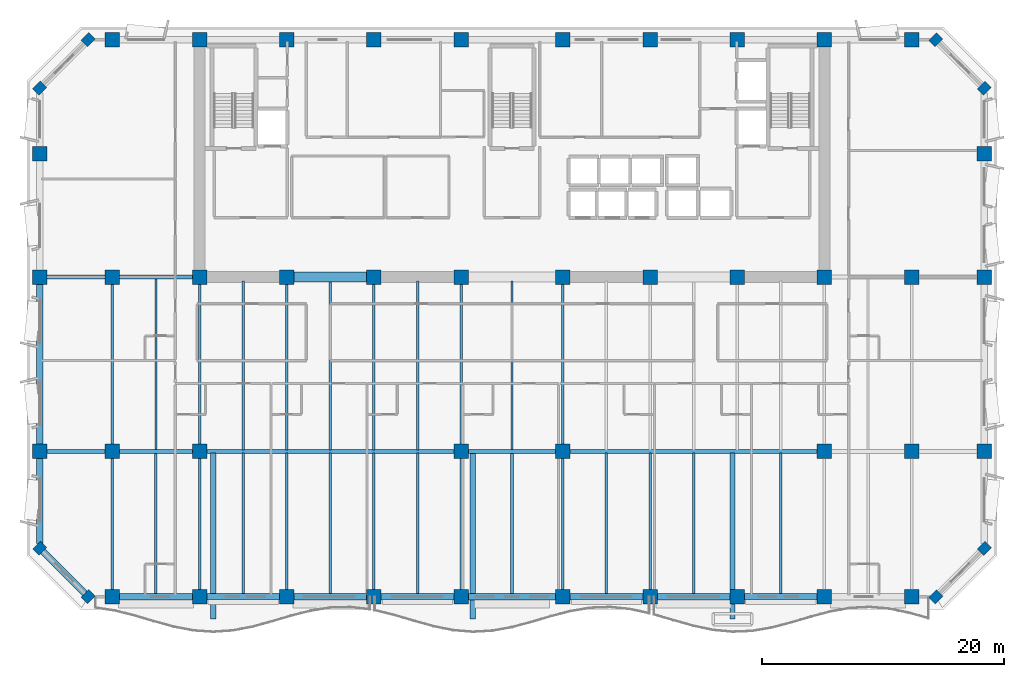
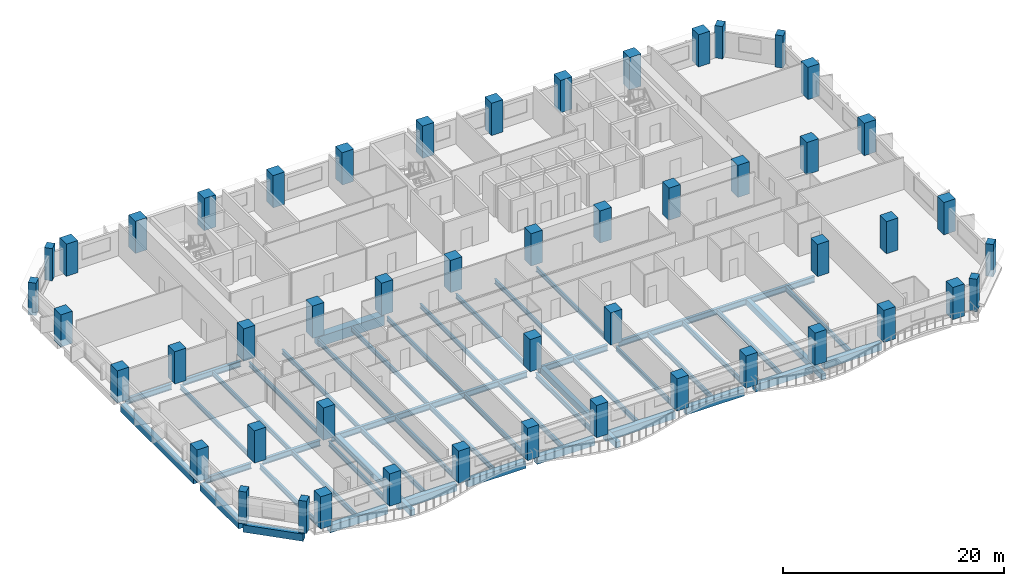
# One storey, part 1 of 15: 50 columns, 48 beams.
"""IFC4 building model written with IfcOpenShell, lengths in metres."""

from ifc_helpers import new_model, si_unit, direction, frame, origin, origin_2d, place, context, subcontext, project, spatial, rectangle, i_section, extrude, material, material_profile, profile_set, type_object, element, save


model = new_model("IFC4")

# Units and contexts
model_context = context("Model", 3, precision=1e-05, world=origin(), true_north=direction((0.0, 1.0)))
body_context = subcontext(model_context, "Body", "Model", "MODEL_VIEW")
ifc_project = project(units=[si_unit("LENGTHUNIT", "METRE"), si_unit("AREAUNIT", "SQUARE_METRE"), si_unit("VOLUMEUNIT", "CUBIC_METRE"), si_unit("PLANEANGLEUNIT", "RADIAN"), si_unit("MASSUNIT", "GRAM", prefix="KILO")], contexts=[model_context])

# Site, building, storey
site_placement = place(None, origin())
site = spatial("IfcSite", under=ifc_project, at=site_placement, CompositionType="ELEMENT")
building_placement = place(site_placement, origin())
building = spatial("IfcBuilding", under=site, at=building_placement, Name="Kaelvorn Grand Hotel", CompositionType="ELEMENT")
storey_placement = place(building_placement, frame((0.0, 0.0, 177.14990234375)))
storey = spatial("IfcBuildingStorey", under=building, at=storey_placement, Name="L43", CompositionType="ELEMENT", Elevation=177.14990234375)

# Columns
ifc_material_1 = material(Name="Concrete C60/75", Category="concrete")
ifc_material_profile_1 = material_profile(ifc_material_1, rectangle(XDim=0.89990234375, YDim=0.75, at=origin_2d()), Name="RC PILASTER 900x750")
ifc_profile_set_1 = profile_set([ifc_material_profile_1], Name="Concrete C60/75")
column_type_1 = type_object("IfcColumnType", Name="COL-PIL-900x750-C60", PredefinedType="PILASTER", material=ifc_profile_set_1)
for number, where, z_axis, x_axis, name in (
    (1, (7.0, 3.0, 0.0), (0.0, 0.0, 1.0), (0.707106781187, 0.707106781187, 0.0), "L43 Structural Column CH-01"),
    (2, (77.0, 3.0, 0.0), (0.0, 0.0, 1.0), (0.707106781187, 0.707106781187, 0.0), "L43 Structural Column CH-02"),
    (3, (81.0, 7.0, 0.0), (0.0, 0.0, 1.0), (0.707106781187, 0.707106781187, 0.0), "L43 Structural Column CH-03"),
    (4, (81.0, 45.0, 0.0), (0.0, 0.0, 1.0), (0.707106781187, 0.707106781187, 0.0), "L43 Structural Column CH-04"),
    (5, (77.0, 49.0, 0.0), (0.0, 0.0, 1.0), (0.707106781187, 0.707106781187, 0.0), "L43 Structural Column CH-05"),
    (6, (7.0, 49.0, 0.0), (0.0, 0.0, 1.0), (0.707106781187, 0.707106781187, 0.0), "L43 Structural Column CH-06"),
    (7, (3.0, 45.0, 0.0), (0.0, 0.0, 1.0), (0.707106781187, 0.707106781187, 0.0), "L43 Structural Column CH-07"),
    (8, (3.0, 7.0, 0.0), (0.0, 0.0, 1.0), (0.707106781187, 0.707106781187, 0.0), "L43 Structural Column CH-08"),
):
    element("IfcColumn", number, at=place(storey_placement, frame(where, z_axis=z_axis, x_axis=x_axis)), inside=storey, type_object=column_type_1, Name=name, PredefinedType="PILASTER", context=body_context, shape_type="SweptSolid", body=[
        extrude(rectangle(XDim=0.89990234375, YDim=0.75, at=origin_2d()), origin(), (0.0, 0.0, 1.0), 3.56005859375),
    ])
ifc_material_profile_2 = material_profile(ifc_material_1, rectangle(XDim=1.199951171875, YDim=1.199951171875, at=origin_2d()), Name="RC COL 1200x1200")
ifc_profile_set_2 = profile_set([ifc_material_profile_2], Name="Concrete C60/75")
column_type_2 = type_object("IfcColumnType", Name="COL-RC-1200-C60", PredefinedType="COLUMN", material=ifc_profile_set_2)
for number, where, z_axis, x_axis, name in (
    (9, (9.0, 3.0, 0.0), (0.0, 0.0, 1.0), (1.0, 0.0, 0.0), "L43 Structural Column S-01"),
    (10, (16.199951171875, 3.0, 0.0), (0.0, 0.0, 1.0), (1.0, 0.0, 0.0), "L43 Structural Column S-02"),
    (11, (23.39990234375, 3.0, 0.0), (0.0, 0.0, 1.0), (1.0, 0.0, 0.0), "L43 Structural Column S-03"),
    (12, (30.60009765625, 3.0, 0.0), (0.0, 0.0, 1.0), (1.0, 0.0, 0.0), "L43 Structural Column S-04"),
    (13, (37.800048828125, 3.0, 0.0), (0.0, 0.0, 1.0), (1.0, 0.0, 0.0), "L43 Structural Column S-05"),
    (14, (46.199951171875, 3.0, 0.0), (0.0, 0.0, 1.0), (1.0, 0.0, 0.0), "L43 Structural Column S-06"),
    (15, (53.39990234375, 3.0, 0.0), (0.0, 0.0, 1.0), (1.0, 0.0, 0.0), "L43 Structural Column S-07"),
    (16, (60.60009765625, 3.0, 0.0), (0.0, 0.0, 1.0), (1.0, 0.0, 0.0), "L43 Structural Column S-08"),
    (17, (67.800048828125, 3.0, 0.0), (0.0, 0.0, 1.0), (1.0, 0.0, 0.0), "L43 Structural Column S-09"),
    (18, (75.0, 3.0, 0.0), (0.0, 0.0, 1.0), (1.0, 0.0, 0.0), "L43 Structural Column S-10"),
    (19, (3.0, 15.0, 0.0), (0.0, 0.0, 1.0), (1.0, 0.0, 0.0), "L43 Structural Column W-01"),
    (20, (81.0, 15.0, 0.0), (0.0, 0.0, 1.0), (1.0, 0.0, 0.0), "L43 Structural Column E-01"),
    (21, (3.0, 29.39990234375, 0.0), (0.0, 0.0, 1.0), (1.0, 0.0, 0.0), "L43 Structural Column W-02"),
    (22, (81.0, 29.39990234375, 0.0), (0.0, 0.0, 1.0), (1.0, 0.0, 0.0), "L43 Structural Column E-02"),
    (23, (3.0, 39.60009765625, 0.0), (0.0, 0.0, 1.0), (1.0, 0.0, 0.0), "L43 Structural Column W-03"),
    (24, (81.0, 39.60009765625, 0.0), (0.0, 0.0, 1.0), (1.0, 0.0, 0.0), "L43 Structural Column E-03"),
    (25, (9.0, 15.0, 0.0), (0.0, 0.0, 1.0), (1.0, 0.0, 0.0), "L43 Structural Column M-01"),
    (26, (16.199951171875, 15.0, 0.0), (0.0, 0.0, 1.0), (1.0, 0.0, 0.0), "L43 Structural Column M-02"),
    (27, (37.800048828125, 15.0, 0.0), (0.0, 0.0, 1.0), (1.0, 0.0, 0.0), "L43 Structural Column M-03"),
    (28, (46.199951171875, 15.0, 0.0), (0.0, 0.0, 1.0), (1.0, 0.0, 0.0), "L43 Structural Column M-04"),
    (29, (67.800048828125, 15.0, 0.0), (0.0, 0.0, 1.0), (1.0, 0.0, 0.0), "L43 Structural Column M-05"),
    (30, (75.0, 15.0, 0.0), (0.0, 0.0, 1.0), (1.0, 0.0, 0.0), "L43 Structural Column M-06"),
    (31, (9.0, 29.39990234375, 0.0), (0.0, 0.0, 1.0), (1.0, 0.0, 0.0), "L43 Structural Column CR1-01"),
    (32, (9.0, 49.0, 0.0), (0.0, 0.0, 1.0), (1.0, 0.0, 0.0), "L43 Structural Column CR2-01"),
    (33, (16.199951171875, 29.39990234375, 0.0), (0.0, 0.0, 1.0), (1.0, 0.0, 0.0), "L43 Structural Column CR1-02"),
    (34, (16.199951171875, 49.0, 0.0), (0.0, 0.0, 1.0), (1.0, 0.0, 0.0), "L43 Structural Column CR2-02"),
    (35, (23.39990234375, 29.39990234375, 0.0), (0.0, 0.0, 1.0), (1.0, 0.0, 0.0), "L43 Structural Column CR1-03"),
    (36, (23.39990234375, 49.0, 0.0), (0.0, 0.0, 1.0), (1.0, 0.0, 0.0), "L43 Structural Column CR2-03"),
    (37, (30.60009765625, 29.39990234375, 0.0), (0.0, 0.0, 1.0), (1.0, 0.0, 0.0), "L43 Structural Column CR1-04"),
    (38, (30.60009765625, 49.0, 0.0), (0.0, 0.0, 1.0), (1.0, 0.0, 0.0), "L43 Structural Column CR2-04"),
    (39, (37.800048828125, 29.39990234375, 0.0), (0.0, 0.0, 1.0), (1.0, 0.0, 0.0), "L43 Structural Column CR1-05"),
    (40, (37.800048828125, 49.0, 0.0), (0.0, 0.0, 1.0), (1.0, 0.0, 0.0), "L43 Structural Column CR2-05"),
    (41, (46.199951171875, 29.39990234375, 0.0), (0.0, 0.0, 1.0), (1.0, 0.0, 0.0), "L43 Structural Column CR1-06"),
    (42, (46.199951171875, 49.0, 0.0), (0.0, 0.0, 1.0), (1.0, 0.0, 0.0), "L43 Structural Column CR2-06"),
    (43, (53.39990234375, 29.39990234375, 0.0), (0.0, 0.0, 1.0), (1.0, 0.0, 0.0), "L43 Structural Column CR1-07"),
    (44, (53.39990234375, 49.0, 0.0), (0.0, 0.0, 1.0), (1.0, 0.0, 0.0), "L43 Structural Column CR2-07"),
    (45, (60.60009765625, 29.39990234375, 0.0), (0.0, 0.0, 1.0), (1.0, 0.0, 0.0), "L43 Structural Column CR1-08"),
    (46, (60.60009765625, 49.0, 0.0), (0.0, 0.0, 1.0), (1.0, 0.0, 0.0), "L43 Structural Column CR2-08"),
    (47, (67.800048828125, 29.39990234375, 0.0), (0.0, 0.0, 1.0), (1.0, 0.0, 0.0), "L43 Structural Column CR1-09"),
    (48, (67.800048828125, 49.0, 0.0), (0.0, 0.0, 1.0), (1.0, 0.0, 0.0), "L43 Structural Column CR2-09"),
    (49, (75.0, 29.39990234375, 0.0), (0.0, 0.0, 1.0), (1.0, 0.0, 0.0), "L43 Structural Column CR1-10"),
    (50, (75.0, 49.0, 0.0), (0.0, 0.0, 1.0), (1.0, 0.0, 0.0), "L43 Structural Column CR2-10"),
):
    element("IfcColumn", number, at=place(storey_placement, frame(where, z_axis=z_axis, x_axis=x_axis)), inside=storey, type_object=column_type_2, Name=name, PredefinedType="COLUMN", context=body_context, shape_type="SweptSolid", body=[
        extrude(rectangle(XDim=1.199951171875, YDim=1.199951171875, at=origin_2d()), origin(), (0.0, 0.0, 1.0), 3.56005859375),
    ])

# Beams
ifc_material_2 = material(Name="Steel S355", Category="steel")
ifc_material_profile_3 = material_profile(ifc_material_2, i_section(OverallWidth=0.300048828125, OverallDepth=0.64990234375, WebThickness=0.01611328125, FlangeThickness=0.031005859375, FilletRadius=0.027099609375, at=origin_2d()), Name="HEB 650")
ifc_profile_set_3 = profile_set([ifc_material_profile_3], Name="Steel S355")
beam_type_1 = type_object("IfcBeamType", Name="BM-G-HEB650-S355", PredefinedType="BEAM", material=ifc_profile_set_3)
beam_1_placement = place(storey_placement, frame((3.5849609375, 15.0, -0.56494140625), z_axis=(1.0, 0.0, 0.0), x_axis=(0.0, 1.0, 0.0)))
element("IfcBeam", 51, at=beam_1_placement, inside=storey, type_object=beam_type_1, Name="L43 Primary Spine Steel Girder G-15 01", PredefinedType="BEAM", context=body_context, shape_type="SweptSolid", body=[
    extrude(i_section(OverallWidth=0.300048828125, OverallDepth=0.64990234375, WebThickness=0.01611328125, FlangeThickness=0.031005859375, FilletRadius=0.027099609375, at=origin_2d()), origin(), (0.0, 0.0, 1.0), 4.830078125),
])
beam_2_placement = place(storey_placement, frame((9.5849609375, 15.0, -0.56494140625), z_axis=(1.0, 0.0, 0.0), x_axis=(0.0, 1.0, 0.0)))
element("IfcBeam", 52, at=beam_2_placement, inside=storey, type_object=beam_type_1, Name="L43 Primary Spine Steel Girder G-15 02", PredefinedType="BEAM", context=body_context, shape_type="SweptSolid", body=[
    extrude(i_section(OverallWidth=0.300048828125, OverallDepth=0.64990234375, WebThickness=0.01611328125, FlangeThickness=0.031005859375, FilletRadius=0.027099609375, at=origin_2d()), origin(), (0.0, 0.0, 1.0), 6.030029296875),
])
beam_3_placement = place(storey_placement, frame((16.784912109375, 15.0, -0.56494140625), z_axis=(1.0, 0.0, 0.0), x_axis=(0.0, 1.0, 0.0)))
element("IfcBeam", 53, at=beam_3_placement, inside=storey, type_object=beam_type_1, Name="L43 Primary Spine Steel Girder G-15 03", PredefinedType="BEAM", context=body_context, shape_type="SweptSolid", body=[
    extrude(i_section(OverallWidth=0.300048828125, OverallDepth=0.64990234375, WebThickness=0.01611328125, FlangeThickness=0.031005859375, FilletRadius=0.027099609375, at=origin_2d()), origin(), (0.0, 0.0, 1.0), 20.43017578125),
])
beam_4_placement = place(storey_placement, frame((38.385009765625, 15.0, -0.56494140625), z_axis=(1.0, 0.0, 0.0), x_axis=(0.0, 1.0, 0.0)))
element("IfcBeam", 54, at=beam_4_placement, inside=storey, type_object=beam_type_1, Name="L43 Primary Spine Steel Girder G-15 04", PredefinedType="BEAM", context=body_context, shape_type="SweptSolid", body=[
    extrude(i_section(OverallWidth=0.300048828125, OverallDepth=0.64990234375, WebThickness=0.01611328125, FlangeThickness=0.031005859375, FilletRadius=0.027099609375, at=origin_2d()), origin(), (0.0, 0.0, 1.0), 7.22998046875),
])
beam_5_placement = place(storey_placement, frame((46.784912109375, 15.0, -0.56494140625), z_axis=(1.0, 0.0, 0.0), x_axis=(0.0, 1.0, 0.0)))
element("IfcBeam", 55, at=beam_5_placement, inside=storey, type_object=beam_type_1, Name="L43 Primary Spine Steel Girder G-15 05", PredefinedType="BEAM", context=body_context, shape_type="SweptSolid", body=[
    extrude(i_section(OverallWidth=0.300048828125, OverallDepth=0.64990234375, WebThickness=0.01611328125, FlangeThickness=0.031005859375, FilletRadius=0.027099609375, at=origin_2d()), origin(), (0.0, 0.0, 1.0), 20.43017578125),
])
beam_6_placement = place(storey_placement, frame((3.5849609375, 29.39990234375, -0.56494140625), z_axis=(1.0, 0.0, 0.0), x_axis=(0.0, 1.0, 0.0)))
element("IfcBeam", 56, at=beam_6_placement, inside=storey, type_object=beam_type_1, Name="L43 West Core Wing Steel Girder G-29W 01", PredefinedType="BEAM", context=body_context, shape_type="SweptSolid", body=[
    extrude(i_section(OverallWidth=0.300048828125, OverallDepth=0.64990234375, WebThickness=0.01611328125, FlangeThickness=0.031005859375, FilletRadius=0.027099609375, at=origin_2d()), origin(), (0.0, 0.0, 1.0), 4.830078125),
])
beam_7_placement = place(storey_placement, frame((9.5849609375, 29.39990234375, -0.56494140625), z_axis=(1.0, 0.0, 0.0), x_axis=(0.0, 1.0, 0.0)))
element("IfcBeam", 57, at=beam_7_placement, inside=storey, type_object=beam_type_1, Name="L43 West Core Wing Steel Girder G-29W 02", PredefinedType="BEAM", context=body_context, shape_type="SweptSolid", body=[
    extrude(i_section(OverallWidth=0.300048828125, OverallDepth=0.64990234375, WebThickness=0.01611328125, FlangeThickness=0.031005859375, FilletRadius=0.027099609375, at=origin_2d()), origin(), (0.0, 0.0, 1.0), 6.030029296875),
])
ifc_material_profile_4 = material_profile(ifc_material_2, i_section(OverallWidth=0.199951171875, OverallDepth=0.5, WebThickness=0.01025390625, FlangeThickness=0.01611328125, FilletRadius=0.02099609375, at=origin_2d()), Name="IPE 500")
ifc_profile_set_4 = profile_set([ifc_material_profile_4], Name="Steel S355")
beam_type_2 = type_object("IfcBeamType", Name="BM-J-IPE500-S355", PredefinedType="JOIST", material=ifc_profile_set_4)
beam_8_placement = place(storey_placement, frame((9.0, 15.5849609375, -0.489990234375), z_axis=(0.0, 1.0, 0.0), x_axis=(-1.0, 0.0, 0.0)))
element("IfcBeam", 58, at=beam_8_placement, inside=storey, type_object=beam_type_2, Name="L43 Composite Floor Joist JM-03", PredefinedType="JOIST", context=body_context, shape_type="SweptSolid", body=[
    extrude(i_section(OverallWidth=0.199951171875, OverallDepth=0.5, WebThickness=0.01025390625, FlangeThickness=0.01611328125, FilletRadius=0.02099609375, at=origin_2d()), origin(), (0.0, 0.0, 1.0), 13.22998046875),
])
beam_9_placement = place(storey_placement, frame((12.60009765625, 15.135009765625, -0.489990234375), z_axis=(0.0, 1.0, 0.0), x_axis=(-1.0, 0.0, 0.0)))
element("IfcBeam", 59, at=beam_9_placement, inside=storey, type_object=beam_type_2, Name="L43 Composite Floor Joist JM-04", PredefinedType="JOIST", context=body_context, shape_type="SweptSolid", body=[
    extrude(i_section(OverallWidth=0.199951171875, OverallDepth=0.5, WebThickness=0.01025390625, FlangeThickness=0.01611328125, FilletRadius=0.02099609375, at=origin_2d()), origin(), (0.0, 0.0, 1.0), 14.1298828125),
])
beam_10_placement = place(storey_placement, frame((16.199951171875, 15.5849609375, -0.489990234375), z_axis=(0.0, 1.0, 0.0), x_axis=(-1.0, 0.0, 0.0)))
element("IfcBeam", 60, at=beam_10_placement, inside=storey, type_object=beam_type_2, Name="L43 Composite Floor Joist JM-05", PredefinedType="JOIST", context=body_context, shape_type="SweptSolid", body=[
    extrude(i_section(OverallWidth=0.199951171875, OverallDepth=0.5, WebThickness=0.01025390625, FlangeThickness=0.01611328125, FilletRadius=0.02099609375, at=origin_2d()), origin(), (0.0, 0.0, 1.0), 13.22998046875),
])
beam_11_placement = place(storey_placement, frame((19.800048828125, 15.135009765625, -0.489990234375), z_axis=(0.0, 1.0, 0.0), x_axis=(-1.0, 0.0, 0.0)))
element("IfcBeam", 61, at=beam_11_placement, inside=storey, type_object=beam_type_2, Name="L43 Composite Floor Joist JM-06", PredefinedType="JOIST", context=body_context, shape_type="SweptSolid", body=[
    extrude(i_section(OverallWidth=0.199951171875, OverallDepth=0.5, WebThickness=0.01025390625, FlangeThickness=0.01611328125, FilletRadius=0.02099609375, at=origin_2d()), origin(), (0.0, 0.0, 1.0), 13.925048828125),
])
beam_12_placement = place(storey_placement, frame((23.39990234375, 15.135009765625, -0.489990234375), z_axis=(0.0, 1.0, 0.0), x_axis=(-1.0, 0.0, 0.0)))
element("IfcBeam", 62, at=beam_12_placement, inside=storey, type_object=beam_type_2, Name="L43 Composite Floor Joist JM-07", PredefinedType="JOIST", context=body_context, shape_type="SweptSolid", body=[
    extrude(i_section(OverallWidth=0.199951171875, OverallDepth=0.5, WebThickness=0.01025390625, FlangeThickness=0.01611328125, FilletRadius=0.02099609375, at=origin_2d()), origin(), (0.0, 0.0, 1.0), 13.679931640625),
])
beam_13_placement = place(storey_placement, frame((27.0, 15.135009765625, -0.489990234375), z_axis=(0.0, 1.0, 0.0), x_axis=(-1.0, 0.0, 0.0)))
element("IfcBeam", 63, at=beam_13_placement, inside=storey, type_object=beam_type_2, Name="L43 Composite Floor Joist JM-08", PredefinedType="JOIST", context=body_context, shape_type="SweptSolid", body=[
    extrude(i_section(OverallWidth=0.199951171875, OverallDepth=0.5, WebThickness=0.01025390625, FlangeThickness=0.01611328125, FilletRadius=0.02099609375, at=origin_2d()), origin(), (0.0, 0.0, 1.0), 13.925048828125),
])
beam_14_placement = place(storey_placement, frame((30.60009765625, 15.135009765625, -0.489990234375), z_axis=(0.0, 1.0, 0.0), x_axis=(-1.0, 0.0, 0.0)))
element("IfcBeam", 64, at=beam_14_placement, inside=storey, type_object=beam_type_2, Name="L43 Composite Floor Joist JM-09", PredefinedType="JOIST", context=body_context, shape_type="SweptSolid", body=[
    extrude(i_section(OverallWidth=0.199951171875, OverallDepth=0.5, WebThickness=0.01025390625, FlangeThickness=0.01611328125, FilletRadius=0.02099609375, at=origin_2d()), origin(), (0.0, 0.0, 1.0), 13.679931640625),
])
beam_15_placement = place(storey_placement, frame((34.199951171875, 15.135009765625, -0.489990234375), z_axis=(0.0, 1.0, 0.0), x_axis=(-1.0, 0.0, 0.0)))
element("IfcBeam", 65, at=beam_15_placement, inside=storey, type_object=beam_type_2, Name="L43 Composite Floor Joist JM-10", PredefinedType="JOIST", context=body_context, shape_type="SweptSolid", body=[
    extrude(i_section(OverallWidth=0.199951171875, OverallDepth=0.5, WebThickness=0.01025390625, FlangeThickness=0.01611328125, FilletRadius=0.02099609375, at=origin_2d()), origin(), (0.0, 0.0, 1.0), 13.925048828125),
])
beam_16_placement = place(storey_placement, frame((37.800048828125, 15.5849609375, -0.489990234375), z_axis=(0.0, 1.0, 0.0), x_axis=(-1.0, 0.0, 0.0)))
element("IfcBeam", 66, at=beam_16_placement, inside=storey, type_object=beam_type_2, Name="L43 Composite Floor Joist JM-11", PredefinedType="JOIST", context=body_context, shape_type="SweptSolid", body=[
    extrude(i_section(OverallWidth=0.199951171875, OverallDepth=0.5, WebThickness=0.01025390625, FlangeThickness=0.01611328125, FilletRadius=0.02099609375, at=origin_2d()), origin(), (0.0, 0.0, 1.0), 13.22998046875),
])
beam_17_placement = place(storey_placement, frame((42.0, 15.135009765625, -0.489990234375), z_axis=(0.0, 1.0, 0.0), x_axis=(-1.0, 0.0, 0.0)))
element("IfcBeam", 67, at=beam_17_placement, inside=storey, type_object=beam_type_2, Name="L43 Composite Floor Joist JM-12", PredefinedType="JOIST", context=body_context, shape_type="SweptSolid", body=[
    extrude(i_section(OverallWidth=0.199951171875, OverallDepth=0.5, WebThickness=0.01025390625, FlangeThickness=0.01611328125, FilletRadius=0.02099609375, at=origin_2d()), origin(), (0.0, 0.0, 1.0), 13.925048828125),
])
beam_18_placement = place(storey_placement, frame((46.199951171875, 15.5849609375, -0.489990234375), z_axis=(0.0, 1.0, 0.0), x_axis=(-1.0, 0.0, 0.0)))
element("IfcBeam", 68, at=beam_18_placement, inside=storey, type_object=beam_type_2, Name="L43 Composite Floor Joist JM-13", PredefinedType="JOIST", context=body_context, shape_type="SweptSolid", body=[
    extrude(i_section(OverallWidth=0.199951171875, OverallDepth=0.5, WebThickness=0.01025390625, FlangeThickness=0.01611328125, FilletRadius=0.02099609375, at=origin_2d()), origin(), (0.0, 0.0, 1.0), 13.22998046875),
])
ifc_material_profile_5 = material_profile(ifc_material_2, i_section(OverallWidth=0.2099609375, OverallDepth=0.550048828125, WebThickness=0.010986328125, FlangeThickness=0.01708984375, FilletRadius=0.02392578125, at=origin_2d()), Name="IPE 550")
ifc_profile_set_5 = profile_set([ifc_material_profile_5], Name="Steel S355")
beam_type_3 = type_object("IfcBeamType", Name="BM-J-IPE550-S355", PredefinedType="JOIST", material=ifc_profile_set_5)
beam_19_placement = place(storey_placement, frame((9.0, 3.5849609375, -0.514892578125), z_axis=(0.0, 1.0, 0.0), x_axis=(-1.0, 0.0, 0.0)))
element("IfcBeam", 69, at=beam_19_placement, inside=storey, type_object=beam_type_3, Name="L43 Composite Floor Joist JS-03", PredefinedType="JOIST", context=body_context, shape_type="SweptSolid", body=[
    extrude(i_section(OverallWidth=0.2099609375, OverallDepth=0.550048828125, WebThickness=0.010986328125, FlangeThickness=0.01708984375, FilletRadius=0.02392578125, at=origin_2d()), origin(), (0.0, 0.0, 1.0), 10.830078125),
])
beam_20_placement = place(storey_placement, frame((12.60009765625, 3.260009765625, -0.514892578125), z_axis=(0.0, 1.0, 0.0), x_axis=(-1.0, 0.0, 0.0)))
element("IfcBeam", 70, at=beam_20_placement, inside=storey, type_object=beam_type_3, Name="L43 Composite Floor Joist JS-04", PredefinedType="JOIST", context=body_context, shape_type="SweptSolid", body=[
    extrude(i_section(OverallWidth=0.2099609375, OverallDepth=0.550048828125, WebThickness=0.010986328125, FlangeThickness=0.01708984375, FilletRadius=0.02392578125, at=origin_2d()), origin(), (0.0, 0.0, 1.0), 11.60498046875),
])
beam_21_placement = place(storey_placement, frame((16.199951171875, 3.5849609375, -0.514892578125), z_axis=(0.0, 1.0, 0.0), x_axis=(-1.0, 0.0, 0.0)))
element("IfcBeam", 71, at=beam_21_placement, inside=storey, type_object=beam_type_3, Name="L43 Composite Floor Joist JS-05", PredefinedType="JOIST", context=body_context, shape_type="SweptSolid", body=[
    extrude(i_section(OverallWidth=0.2099609375, OverallDepth=0.550048828125, WebThickness=0.010986328125, FlangeThickness=0.01708984375, FilletRadius=0.02392578125, at=origin_2d()), origin(), (0.0, 0.0, 1.0), 10.830078125),
])
beam_22_placement = place(storey_placement, frame((19.800048828125, 3.260009765625, -0.514892578125), z_axis=(0.0, 1.0, 0.0), x_axis=(-1.0, 0.0, 0.0)))
element("IfcBeam", 72, at=beam_22_placement, inside=storey, type_object=beam_type_3, Name="L43 Composite Floor Joist JS-06", PredefinedType="JOIST", context=body_context, shape_type="SweptSolid", body=[
    extrude(i_section(OverallWidth=0.2099609375, OverallDepth=0.550048828125, WebThickness=0.010986328125, FlangeThickness=0.01708984375, FilletRadius=0.02392578125, at=origin_2d()), origin(), (0.0, 0.0, 1.0), 11.60498046875),
])
beam_23_placement = place(storey_placement, frame((23.39990234375, 3.5849609375, -0.514892578125), z_axis=(0.0, 1.0, 0.0), x_axis=(-1.0, 0.0, 0.0)))
element("IfcBeam", 73, at=beam_23_placement, inside=storey, type_object=beam_type_3, Name="L43 Composite Floor Joist JS-07", PredefinedType="JOIST", context=body_context, shape_type="SweptSolid", body=[
    extrude(i_section(OverallWidth=0.2099609375, OverallDepth=0.550048828125, WebThickness=0.010986328125, FlangeThickness=0.01708984375, FilletRadius=0.02392578125, at=origin_2d()), origin(), (0.0, 0.0, 1.0), 11.280029296875),
])
beam_24_placement = place(storey_placement, frame((27.0, 3.260009765625, -0.514892578125), z_axis=(0.0, 1.0, 0.0), x_axis=(-1.0, 0.0, 0.0)))
element("IfcBeam", 74, at=beam_24_placement, inside=storey, type_object=beam_type_3, Name="L43 Composite Floor Joist JS-08", PredefinedType="JOIST", context=body_context, shape_type="SweptSolid", body=[
    extrude(i_section(OverallWidth=0.2099609375, OverallDepth=0.550048828125, WebThickness=0.010986328125, FlangeThickness=0.01708984375, FilletRadius=0.02392578125, at=origin_2d()), origin(), (0.0, 0.0, 1.0), 11.60498046875),
])
beam_25_placement = place(storey_placement, frame((30.60009765625, 3.5849609375, -0.514892578125), z_axis=(0.0, 1.0, 0.0), x_axis=(-1.0, 0.0, 0.0)))
element("IfcBeam", 75, at=beam_25_placement, inside=storey, type_object=beam_type_3, Name="L43 Composite Floor Joist JS-09", PredefinedType="JOIST", context=body_context, shape_type="SweptSolid", body=[
    extrude(i_section(OverallWidth=0.2099609375, OverallDepth=0.550048828125, WebThickness=0.010986328125, FlangeThickness=0.01708984375, FilletRadius=0.02392578125, at=origin_2d()), origin(), (0.0, 0.0, 1.0), 11.280029296875),
])
beam_26_placement = place(storey_placement, frame((34.199951171875, 3.260009765625, -0.514892578125), z_axis=(0.0, 1.0, 0.0), x_axis=(-1.0, 0.0, 0.0)))
element("IfcBeam", 76, at=beam_26_placement, inside=storey, type_object=beam_type_3, Name="L43 Composite Floor Joist JS-10", PredefinedType="JOIST", context=body_context, shape_type="SweptSolid", body=[
    extrude(i_section(OverallWidth=0.2099609375, OverallDepth=0.550048828125, WebThickness=0.010986328125, FlangeThickness=0.01708984375, FilletRadius=0.02392578125, at=origin_2d()), origin(), (0.0, 0.0, 1.0), 11.60498046875),
])
beam_27_placement = place(storey_placement, frame((37.800048828125, 3.5849609375, -0.514892578125), z_axis=(0.0, 1.0, 0.0), x_axis=(-1.0, 0.0, 0.0)))
element("IfcBeam", 77, at=beam_27_placement, inside=storey, type_object=beam_type_3, Name="L43 Composite Floor Joist JS-11", PredefinedType="JOIST", context=body_context, shape_type="SweptSolid", body=[
    extrude(i_section(OverallWidth=0.2099609375, OverallDepth=0.550048828125, WebThickness=0.010986328125, FlangeThickness=0.01708984375, FilletRadius=0.02392578125, at=origin_2d()), origin(), (0.0, 0.0, 1.0), 10.830078125),
])
beam_28_placement = place(storey_placement, frame((42.0, 3.260009765625, -0.514892578125), z_axis=(0.0, 1.0, 0.0), x_axis=(-1.0, 0.0, 0.0)))
element("IfcBeam", 78, at=beam_28_placement, inside=storey, type_object=beam_type_3, Name="L43 Composite Floor Joist JS-12", PredefinedType="JOIST", context=body_context, shape_type="SweptSolid", body=[
    extrude(i_section(OverallWidth=0.2099609375, OverallDepth=0.550048828125, WebThickness=0.010986328125, FlangeThickness=0.01708984375, FilletRadius=0.02392578125, at=origin_2d()), origin(), (0.0, 0.0, 1.0), 11.60498046875),
])
beam_29_placement = place(storey_placement, frame((46.199951171875, 3.5849609375, -0.514892578125), z_axis=(0.0, 1.0, 0.0), x_axis=(-1.0, 0.0, 0.0)))
element("IfcBeam", 79, at=beam_29_placement, inside=storey, type_object=beam_type_3, Name="L43 Composite Floor Joist JS-13", PredefinedType="JOIST", context=body_context, shape_type="SweptSolid", body=[
    extrude(i_section(OverallWidth=0.2099609375, OverallDepth=0.550048828125, WebThickness=0.010986328125, FlangeThickness=0.01708984375, FilletRadius=0.02392578125, at=origin_2d()), origin(), (0.0, 0.0, 1.0), 10.830078125),
])
beam_30_placement = place(storey_placement, frame((49.800048828125, 3.260009765625, -0.514892578125), z_axis=(0.0, 1.0, 0.0), x_axis=(-1.0, 0.0, 0.0)))
element("IfcBeam", 80, at=beam_30_placement, inside=storey, type_object=beam_type_3, Name="L43 Composite Floor Joist JS-14", PredefinedType="JOIST", context=body_context, shape_type="SweptSolid", body=[
    extrude(i_section(OverallWidth=0.2099609375, OverallDepth=0.550048828125, WebThickness=0.010986328125, FlangeThickness=0.01708984375, FilletRadius=0.02392578125, at=origin_2d()), origin(), (0.0, 0.0, 1.0), 11.60498046875),
])
beam_31_placement = place(storey_placement, frame((53.39990234375, 3.5849609375, -0.514892578125), z_axis=(0.0, 1.0, 0.0), x_axis=(-1.0, 0.0, 0.0)))
element("IfcBeam", 81, at=beam_31_placement, inside=storey, type_object=beam_type_3, Name="L43 Composite Floor Joist JS-15", PredefinedType="JOIST", context=body_context, shape_type="SweptSolid", body=[
    extrude(i_section(OverallWidth=0.2099609375, OverallDepth=0.550048828125, WebThickness=0.010986328125, FlangeThickness=0.01708984375, FilletRadius=0.02392578125, at=origin_2d()), origin(), (0.0, 0.0, 1.0), 11.280029296875),
])
for number, where, z_axis, x_axis, name in (
    (82, (57.0, 3.260009765625, -0.514892578125), (0.0, 1.0, 0.0), (-1.0, 0.0, 0.0), "L43 Composite Floor Joist JS-16"),
    (83, (64.199951171875, 3.260009765625, -0.514892578125), (0.0, 1.0, 0.0), (-1.0, 0.0, 0.0), "L43 Composite Floor Joist JS-18"),
):
    element("IfcBeam", number, at=place(storey_placement, frame(where, z_axis=z_axis, x_axis=x_axis)), inside=storey, type_object=beam_type_3, Name=name, PredefinedType="JOIST", context=body_context, shape_type="SweptSolid", body=[
        extrude(i_section(OverallWidth=0.2099609375, OverallDepth=0.550048828125, WebThickness=0.010986328125, FlangeThickness=0.01708984375, FilletRadius=0.02392578125, at=origin_2d()), origin(), (0.0, 0.0, 1.0), 11.60498046875),
    ])
ifc_material_profile_6 = material_profile(ifc_material_1, rectangle(XDim=0.800048828125, YDim=1.10009765625, at=origin_2d()), Name="RC LINTEL 800x1100")
ifc_profile_set_6 = profile_set([ifc_material_profile_6], Name="Concrete C60/75")
beam_type_4 = type_object("IfcBeamType", Name="BM-LIN-800x1100-C60", PredefinedType="LINTEL", material=ifc_profile_set_6)
beam_32_placement = place(storey_placement, frame((23.580078125, 29.39990234375, -0.789794921875), z_axis=(1.0, 0.0, 0.0), x_axis=(0.0, 1.0, 0.0)))
element("IfcBeam", 84, at=beam_32_placement, inside=storey, type_object=beam_type_4, Name="L43 Rear-Core Coupling Lintel Beam CB1-01", PredefinedType="LINTEL", context=body_context, shape_type="SweptSolid", body=[
    extrude(rectangle(XDim=0.800048828125, YDim=1.10009765625, at=origin_2d()), origin(), (0.0, 0.0, 1.0), 6.83984375),
])
ifc_material_3 = material(Name="Concrete C40/50", Category="concrete")
ifc_material_profile_7 = material_profile(ifc_material_3, rectangle(XDim=0.449951171875, YDim=0.64990234375, at=origin_2d()), Name="RC RIB 450x650")
ifc_profile_set_7 = profile_set([ifc_material_profile_7], Name="Concrete C40/50")
beam_type_5 = type_object("IfcBeamType", Name="BM-RIB-450x650-C40", PredefinedType="SPANDREL", material=ifc_profile_set_7)
for number, where, z_axis, x_axis, name in (
    (85, (17.314208984375, 1.14990234375, -0.544921875), (0.0, 1.0, 0.0), (-1.0, 0.0, 0.0), "L43 Cantilevered Balcony Back-Span Rib RB1-1"),
    (86, (38.761962890625, 1.14990234375, -0.544921875), (0.0, 1.0, 0.0), (-1.0, 0.0, 0.0), "L43 Cantilevered Balcony Back-Span Rib RB1-2"),
    (87, (60.20947265625, 1.14990234375, -0.544921875), (0.0, 1.0, 0.0), (-1.0, 0.0, 0.0), "L43 Cantilevered Balcony Back-Span Rib RB1-3"),
):
    element("IfcBeam", number, at=place(storey_placement, frame(where, z_axis=z_axis, x_axis=x_axis)), inside=storey, type_object=beam_type_5, Name=name, PredefinedType="SPANDREL", context=body_context, shape_type="SweptSolid", body=[
        extrude(rectangle(XDim=0.449951171875, YDim=0.64990234375, at=origin_2d()), origin(), (0.0, 0.0, 1.0), 13.715087890625),
    ])
ifc_material_4 = material(Name="Concrete C50/60", Category="concrete")
ifc_material_profile_8 = material_profile(ifc_material_4, rectangle(XDim=0.550048828125, YDim=0.800048828125, at=origin_2d()), Name="RC SPANDREL 550x800")
ifc_profile_set_8 = profile_set([ifc_material_profile_8], Name="Concrete C50/60")
beam_type_6 = type_object("IfcBeamType", Name="BM-SP-550x800-C50", PredefinedType="SPANDREL", material=ifc_profile_set_8)
for number, where, z_axis, x_axis, name in (
    (88, (9.5849609375, 3.0, -0.639892578125), (1.0, 0.0, 0.0), (0.0, 1.0, 0.0), "L43 South Perimeter Spandrel 02"),
    (89, (16.784912109375, 3.0, -0.639892578125), (1.0, 0.0, 0.0), (0.0, 1.0, 0.0), "L43 South Perimeter Spandrel 03"),
):
    element("IfcBeam", number, at=place(storey_placement, frame(where, z_axis=z_axis, x_axis=x_axis)), inside=storey, type_object=beam_type_6, Name=name, PredefinedType="SPANDREL", context=body_context, shape_type="SweptSolid", body=[
        extrude(rectangle(XDim=0.550048828125, YDim=0.800048828125, at=origin_2d()), origin(), (0.0, 0.0, 1.0), 6.030029296875),
    ])
beam_33_placement = place(storey_placement, frame((23.985107421875, 3.0, -0.639892578125), z_axis=(1.0, 0.0, 0.0), x_axis=(0.0, 1.0, 0.0)))
element("IfcBeam", 90, at=beam_33_placement, inside=storey, type_object=beam_type_6, Name="L43 South Perimeter Spandrel 04", PredefinedType="SPANDREL", context=body_context, shape_type="SweptSolid", body=[
    extrude(rectangle(XDim=0.550048828125, YDim=0.800048828125, at=origin_2d()), origin(), (0.0, 0.0, 1.0), 6.02978515625),
])
beam_34_placement = place(storey_placement, frame((31.18505859375, 3.0, -0.639892578125), z_axis=(1.0, 0.0, 0.0), x_axis=(0.0, 1.0, 0.0)))
element("IfcBeam", 91, at=beam_34_placement, inside=storey, type_object=beam_type_6, Name="L43 South Perimeter Spandrel 05", PredefinedType="SPANDREL", context=body_context, shape_type="SweptSolid", body=[
    extrude(rectangle(XDim=0.550048828125, YDim=0.800048828125, at=origin_2d()), origin(), (0.0, 0.0, 1.0), 6.030029296875),
])
beam_35_placement = place(storey_placement, frame((38.385009765625, 3.0, -0.639892578125), z_axis=(1.0, 0.0, 0.0), x_axis=(0.0, 1.0, 0.0)))
element("IfcBeam", 92, at=beam_35_placement, inside=storey, type_object=beam_type_6, Name="L43 South Perimeter Spandrel 06", PredefinedType="SPANDREL", context=body_context, shape_type="SweptSolid", body=[
    extrude(rectangle(XDim=0.550048828125, YDim=0.800048828125, at=origin_2d()), origin(), (0.0, 0.0, 1.0), 7.22998046875),
])
beam_36_placement = place(storey_placement, frame((46.784912109375, 3.0, -0.639892578125), z_axis=(1.0, 0.0, 0.0), x_axis=(0.0, 1.0, 0.0)))
element("IfcBeam", 93, at=beam_36_placement, inside=storey, type_object=beam_type_6, Name="L43 South Perimeter Spandrel 07", PredefinedType="SPANDREL", context=body_context, shape_type="SweptSolid", body=[
    extrude(rectangle(XDim=0.550048828125, YDim=0.800048828125, at=origin_2d()), origin(), (0.0, 0.0, 1.0), 6.030029296875),
])
beam_37_placement = place(storey_placement, frame((53.985107421875, 3.0, -0.639892578125), z_axis=(1.0, 0.0, 0.0), x_axis=(0.0, 1.0, 0.0)))
element("IfcBeam", 94, at=beam_37_placement, inside=storey, type_object=beam_type_6, Name="L43 South Perimeter Spandrel 08", PredefinedType="SPANDREL", context=body_context, shape_type="SweptSolid", body=[
    extrude(rectangle(XDim=0.550048828125, YDim=0.800048828125, at=origin_2d()), origin(), (0.0, 0.0, 1.0), 6.02978515625),
])
beam_38_placement = place(storey_placement, frame((61.18505859375, 3.0, -0.639892578125), z_axis=(1.0, 0.0, 0.0), x_axis=(0.0, 1.0, 0.0)))
element("IfcBeam", 95, at=beam_38_placement, inside=storey, type_object=beam_type_6, Name="L43 South Perimeter Spandrel 09", PredefinedType="SPANDREL", context=body_context, shape_type="SweptSolid", body=[
    extrude(rectangle(XDim=0.550048828125, YDim=0.800048828125, at=origin_2d()), origin(), (0.0, 0.0, 1.0), 6.030029296875),
])
beam_39_placement = place(storey_placement, frame((3.0, 7.405029296875, -0.639892578125), z_axis=(0.0, 1.0, 0.0), x_axis=(-1.0, 0.0, 0.0)))
element("IfcBeam", 96, at=beam_39_placement, inside=storey, type_object=beam_type_6, Name="L43 West Perimeter Spandrel 01", PredefinedType="SPANDREL", context=body_context, shape_type="SweptSolid", body=[
    extrude(rectangle(XDim=0.550048828125, YDim=0.800048828125, at=origin_2d()), origin(), (0.0, 0.0, 1.0), 7.010009765625),
])
beam_40_placement = place(storey_placement, frame((3.0, 15.5849609375, -0.639892578125), z_axis=(0.0, 1.0, 0.0), x_axis=(-1.0, 0.0, 0.0)))
element("IfcBeam", 97, at=beam_40_placement, inside=storey, type_object=beam_type_6, Name="L43 West Perimeter Spandrel 02", PredefinedType="SPANDREL", context=body_context, shape_type="SweptSolid", body=[
    extrude(rectangle(XDim=0.550048828125, YDim=0.800048828125, at=origin_2d()), origin(), (0.0, 0.0, 1.0), 13.22998046875),
])
beam_41_placement = place(storey_placement, frame((3.0, 7.0, -0.639892578125), z_axis=(0.707106781187, -0.707106781187, 0.0), x_axis=(0.707106781187, 0.707106781187, 0.0)))
element("IfcBeam", 98, at=beam_41_placement, inside=storey, type_object=beam_type_6, Name="L43 Chamfer Spandrel Beam 4", PredefinedType="SPANDREL", context=body_context, shape_type="SweptSolid", body=[
    extrude(rectangle(XDim=0.550048828125, YDim=0.800048828125, at=origin_2d()), origin(), (0.0, 0.0, 1.0), 5.65673828125),
])

save(model, "model.ifc")
